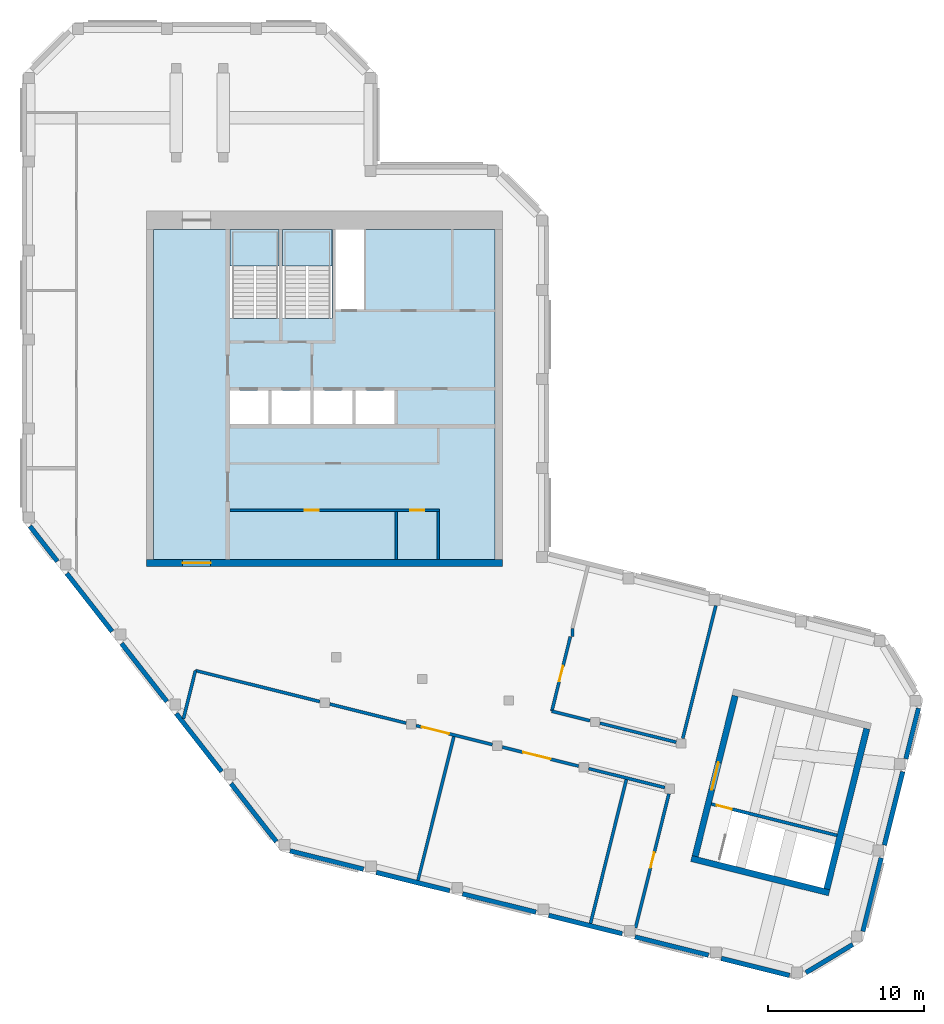
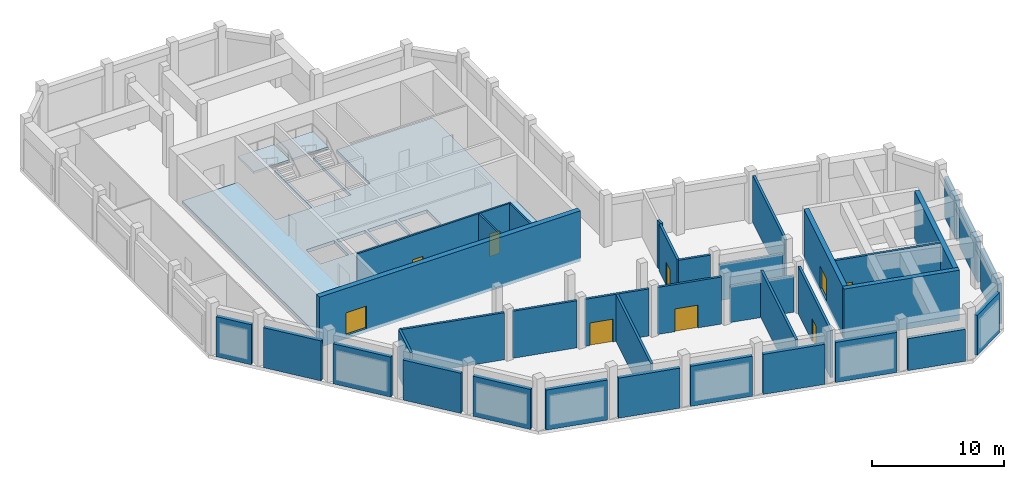
# One storey, part 2 of 5: 37 walls, 9 doors, 3 slabs, 9 openings, 2 elements without a shape of their own.
"""IFC4 building model written with IfcOpenShell, lengths in metres."""

from ifc_helpers import new_model, si_unit, direction, frame, frame_2d, origin, place, context, subcontext, project, spatial, polyline, rectangle, outline, extrude, material, layer, layer_set, type_object, element, fill, aggregate, save


model = new_model("IFC4")

# Units and contexts
model_context = context("Model", 3, precision=1e-05, world=origin(), true_north=direction((0.0, 1.0)))
body_context = subcontext(model_context, "Body", "Model", "MODEL_VIEW")
ifc_project = project(units=[si_unit("LENGTHUNIT", "METRE"), si_unit("AREAUNIT", "SQUARE_METRE"), si_unit("VOLUMEUNIT", "CUBIC_METRE"), si_unit("PLANEANGLEUNIT", "RADIAN"), si_unit("MASSUNIT", "GRAM", prefix="KILO")], contexts=[model_context])

# Site, building, storey
site_placement = place(None, origin())
site = spatial("IfcSite", under=ifc_project, at=site_placement, CompositionType="ELEMENT")
building_placement = place(site_placement, origin())
building = spatial("IfcBuilding", under=site, at=building_placement, Name="Meshkara Civic Tower", CompositionType="ELEMENT")
storey_placement = place(building_placement, frame((0.0, 0.0, 405.0)))
storey = spatial("IfcBuildingStorey", under=building, at=storey_placement, Name="L93 Crown", CompositionType="ELEMENT", Elevation=405.0)

# Slab
ifc_material_1 = material(Name="Concrete C40/50", Category="concrete")
ifc_layer_1 = layer(ifc_material_1, 0.300048828125)
ifc_layer_set_1 = layer_set([ifc_layer_1], Name="Core floor slab 300 C40/50")
slab_type_1 = type_object("IfcSlabType", Name="Core floor slab 300 C40/50", PredefinedType="FLOOR", material=ifc_layer_set_1)
slab_1_placement = place(storey_placement, frame((0.0, 0.0, -0.300048828125)))
element("IfcSlab", 1, at=slab_1_placement, inside=storey, type_object=slab_type_1, Name="Core floor K", PredefinedType="FLOOR", context=body_context, shape_type="SweptSolid", body=[
    extrude(outline(polyline([(8.449951171875, 35.699951171875), (13.35009765625, 35.699951171875), (13.35009765625, 30.00146484375), (16.5, 30.00146484375), (16.5, 35.699951171875), (16.699951171875, 35.699951171875), (16.699951171875, 30.00146484375), (19.89990234375, 30.00146484375), (19.89990234375, 35.699951171875), (20.10009765625, 35.699951171875), (20.10009765625, 30.574951171875), (21.925048828125, 30.574951171875), (21.925048828125, 35.699951171875), (30.35009765625, 35.699951171875), (30.35009765625, 14.550048828125), (8.449951171875, 14.550048828125), (8.449951171875, 35.699951171875)]), holes=[polyline([(15.800048828125, 23.25), (15.800048828125, 25.39990234375), (13.35009765625, 25.39990234375), (13.35009765625, 23.25), (15.800048828125, 23.25)]), polyline([(18.5, 25.39990234375), (16.0, 25.39990234375), (16.0, 23.25), (18.5, 23.25), (18.5, 25.39990234375)]), polyline([(18.699951171875, 23.25), (21.199951171875, 23.25), (21.199951171875, 25.39990234375), (18.699951171875, 25.39990234375), (18.699951171875, 23.25)]), polyline([(21.39990234375, 23.25), (23.89990234375, 23.25), (23.89990234375, 25.39990234375), (21.39990234375, 25.39990234375), (21.39990234375, 23.25)])]), origin(), (0.0, 0.0, 1.0), 0.300048828125),
])

# Stair, slab
ifc_material_2 = material(Name="Precast concrete C40/50", Category="concrete")
stair_type = type_object("IfcStairType", Name="Exit stair half-turn 26 risers precast", PredefinedType="HALF_TURN_STAIR", material=ifc_material_2)
stair_1_placement = place(storey_placement, origin())
stair_1 = element("IfcStair", 2, at=stair_1_placement, inside=storey, type_object=stair_type, Name="L93 Crown exit stair 1", PredefinedType="HALF_TURN_STAIR")
ifc_material_3 = material(Name="Precast concrete C40/50", Category="concrete")
ifc_layer_2 = layer(ifc_material_3, 0.199951171875)
ifc_layer_set_2 = layer_set([ifc_layer_2], Name="Exit stair landing 200")
slab_type_2 = type_object("IfcSlabType", Name="Exit stair landing 200", PredefinedType="LANDING", material=ifc_layer_set_2)
slab_2_placement = place(storey_placement, frame((0.0, 0.0, 2.199951171875)))
slab_2 = element("IfcSlab", 3, at=slab_2_placement, type_object=slab_type_2, Name="ST1 landing 1", PredefinedType="LANDING", context=body_context, shape_type="SweptSolid", body=[
    extrude(outline(polyline([(16.5, 33.3583984375), (16.5, 35.699951171875), (13.35009765625, 35.699951171875), (13.35009765625, 33.3583984375), (16.5, 33.3583984375)])), origin(), (0.0, 0.0, 1.0), 0.199951171875),
])
aggregate(stair_1, [slab_2])

stair_2_placement = place(storey_placement, origin())
stair_2 = element("IfcStair", 4, at=stair_2_placement, inside=storey, type_object=stair_type, Name="L93 Crown exit stair 2", PredefinedType="HALF_TURN_STAIR")
slab_3_placement = place(storey_placement, frame((0.0, 0.0, 2.199951171875)))
slab_3 = element("IfcSlab", 5, at=slab_3_placement, type_object=slab_type_2, Name="ST2 landing 1", PredefinedType="LANDING", context=body_context, shape_type="SweptSolid", body=[
    extrude(outline(polyline([(19.89990234375, 33.3583984375), (19.89990234375, 35.699951171875), (16.699951171875, 35.699951171875), (16.699951171875, 33.3583984375), (19.89990234375, 33.3583984375)])), origin(), (0.0, 0.0, 1.0), 0.199951171875),
])
aggregate(stair_2, [slab_3])

# Walls
ifc_material_4 = material(Name="Insulated infill panel with bronze anodised aluminium cladding", Category="aluminium")
ifc_layer_3 = layer(ifc_material_4, 0.300048828125)
ifc_layer_set_3 = layer_set([ifc_layer_3], Name="CROWN WALL 300")
wall_type_1 = type_object("IfcWallType", Name="CROWN WALL 300", PredefinedType="SOLIDWALL", material=ifc_layer_set_3)
wall_1_placement = place(storey_placement, frame((0.51611328125, 16.68310546875, 0.0), z_axis=(0.0, 0.0, 1.0), x_axis=(0.615483207854, -0.788149998953, 0.0)))
element("IfcWall", 6, at=wall_1_placement, inside=storey, type_object=wall_type_1, Name="Crown external wall", PredefinedType="SOLIDWALL", context=body_context, shape_type="SweptSolid", body=[
    extrude(rectangle(XDim=2.857666015625, YDim=0.300048828125, at=frame_2d((1.4287109375, 0.0))), origin(), (0.0, 0.0, 1.0), 3.699951171875),
])
wall_2_placement = place(storey_placement, frame((2.8798828125, 13.656982421875, 0.0), z_axis=(0.0, 0.0, 1.0), x_axis=(0.61578764214, -0.787912165021, 0.0)))
element("IfcWall", 7, at=wall_2_placement, inside=storey, type_object=wall_type_1, Name="Crown external wall", PredefinedType="SOLIDWALL", context=body_context, shape_type="SweptSolid", body=[
    extrude(rectangle(XDim=4.717529296875, YDim=0.300048828125, at=frame_2d((2.35888671875, 0.0))), origin(), (0.0, 0.0, 1.0), 3.699951171875),
])
wall_3_placement = place(storey_placement, frame((6.388916015625, 9.1650390625, 0.0), z_axis=(0.0, 0.0, 1.0), x_axis=(0.61568721755, -0.7879906409, 0.0)))
element("IfcWall", 8, at=wall_3_placement, inside=storey, type_object=wall_type_1, Name="Crown external wall", PredefinedType="SOLIDWALL", context=body_context, shape_type="SweptSolid", body=[
    extrude(rectangle(XDim=4.71826171875, YDim=0.300048828125, at=frame_2d((2.359130859375, 0.0))), origin(), (0.0, 0.0, 1.0), 3.699951171875),
])
wall_4_placement = place(storey_placement, frame((9.89892578125, 4.673095703125, 0.0), z_axis=(0.0, 0.0, 1.0), x_axis=(0.615659107807, -0.788012603309, 0.0)))
element("IfcWall", 9, at=wall_4_placement, inside=storey, type_object=wall_type_1, Name="Crown external wall", PredefinedType="SOLIDWALL", context=body_context, shape_type="SweptSolid", body=[
    extrude(rectangle(XDim=4.717041015625, YDim=0.300048828125, at=frame_2d((2.3583984375, 0.0))), origin(), (0.0, 0.0, 1.0), 3.699951171875),
])
wall_5_placement = place(storey_placement, frame((13.407958984375, 0.181884765625, 0.0), z_axis=(0.0, 0.0, 1.0), x_axis=(0.61568421867, -0.78799298403, 0.0)))
element("IfcWall", 10, at=wall_5_placement, inside=storey, type_object=wall_type_1, Name="Crown external wall", PredefinedType="SOLIDWALL", context=body_context, shape_type="SweptSolid", body=[
    extrude(rectangle(XDim=4.716796875, YDim=0.300048828125, at=frame_2d((2.3583984375, 0.0))), origin(), (0.0, 0.0, 1.0), 3.699951171875),
])
wall_6_placement = place(storey_placement, frame((17.18994140625, -4.132080078125, 0.0), z_axis=(0.0, 0.0, 1.0), x_axis=(0.970343440388, -0.241730444287, 0.0)))
element("IfcWall", 11, at=wall_6_placement, inside=storey, type_object=wall_type_1, Name="Crown external wall", PredefinedType="SOLIDWALL", context=body_context, shape_type="SweptSolid", body=[
    extrude(rectangle(XDim=4.851806640625, YDim=0.300048828125, at=frame_2d((2.42578125, 0.0))), origin(), (0.0, 0.0, 1.0), 3.699951171875),
])
wall_7_placement = place(storey_placement, frame((22.720947265625, -5.510986328125, 0.0), z_axis=(0.0, 0.0, 1.0), x_axis=(0.970319867473, -0.241825049959, 0.0)))
element("IfcWall", 12, at=wall_7_placement, inside=storey, type_object=wall_type_1, Name="Crown external wall", PredefinedType="SOLIDWALL", context=body_context, shape_type="SweptSolid", body=[
    extrude(rectangle(XDim=4.85107421875, YDim=0.300048828125, at=frame_2d((2.425537109375, 0.0))), origin(), (0.0, 0.0, 1.0), 3.699951171875),
])
wall_8_placement = place(storey_placement, frame((28.2509765625, -6.888916015625, 0.0), z_axis=(0.0, 0.0, 1.0), x_axis=(0.970284401049, -0.241967314076, 0.0)))
element("IfcWall", 13, at=wall_8_placement, inside=storey, type_object=wall_type_1, Name="Crown external wall", PredefinedType="SOLIDWALL", context=body_context, shape_type="SweptSolid", body=[
    extrude(rectangle(XDim=4.852294921875, YDim=0.300048828125, at=frame_2d((2.42626953125, 0.0))), origin(), (0.0, 0.0, 1.0), 3.699951171875),
])
wall_9_placement = place(storey_placement, frame((33.781982421875, -8.26904296875, 0.0), z_axis=(0.0, 0.0, 1.0), x_axis=(0.970343440388, -0.241730444287, 0.0)))
element("IfcWall", 14, at=wall_9_placement, inside=storey, type_object=wall_type_1, Name="Crown external wall", PredefinedType="SOLIDWALL", context=body_context, shape_type="SweptSolid", body=[
    extrude(rectangle(XDim=4.851806640625, YDim=0.300048828125, at=frame_2d((2.42578125, 0.0))), origin(), (0.0, 0.0, 1.0), 3.699951171875),
])
wall_10_placement = place(storey_placement, frame((39.31298828125, -9.64794921875, 0.0), z_axis=(0.0, 0.0, 1.0), x_axis=(0.970319867473, -0.241825049959, 0.0)))
element("IfcWall", 15, at=wall_10_placement, inside=storey, type_object=wall_type_1, Name="Crown external wall", PredefinedType="SOLIDWALL", context=body_context, shape_type="SweptSolid", body=[
    extrude(rectangle(XDim=4.85107421875, YDim=0.300048828125, at=frame_2d((2.425537109375, 0.0))), origin(), (0.0, 0.0, 1.0), 3.699951171875),
])
wall_11_placement = place(storey_placement, frame((44.843017578125, -11.02587890625, 0.0), z_axis=(0.0, 0.0, 1.0), x_axis=(0.970256998142, -0.242077172729, 0.0)))
element("IfcWall", 16, at=wall_11_placement, inside=storey, type_object=wall_type_1, Name="Crown external wall", PredefinedType="SOLIDWALL", context=body_context, shape_type="SweptSolid", body=[
    extrude(rectangle(XDim=4.51123046875, YDim=0.300048828125, at=frame_2d((2.255615234375, 0.0))), origin(), (0.0, 0.0, 1.0), 2.949951171875),
])
wall_12_placement = place(storey_placement, frame((50.27001953125, -11.93896484375, 0.0), z_axis=(0.0, 0.0, 1.0), x_axis=(0.857216082003, 0.514956880481, 0.0)))
element("IfcWall", 17, at=wall_12_placement, inside=storey, type_object=wall_type_1, Name="Crown external wall", PredefinedType="SOLIDWALL", context=body_context, shape_type="SweptSolid", body=[
    extrude(rectangle(XDim=3.503173828125, YDim=0.300048828125, at=frame_2d((1.75146484375, 0.0))), origin(), (0.0, 0.0, 1.0), 3.699951171875),
])
wall_13_placement = place(storey_placement, frame((53.924072265625, -9.291015625, 0.0), z_axis=(0.0, 0.0, 1.0), x_axis=(0.241919943578, 0.970296212968, 0.0)))
element("IfcWall", 18, at=wall_13_placement, inside=storey, type_object=wall_type_1, Name="Crown external wall", PredefinedType="SOLIDWALL", context=body_context, shape_type="SweptSolid", body=[
    extrude(rectangle(XDim=4.85205078125, YDim=0.300048828125, at=frame_2d((2.426025390625, 0.0))), origin(), (0.0, 0.0, 1.0), 3.699951171875),
])
wall_14_placement = place(storey_placement, frame((55.302978515625, -3.760009765625, 0.0), z_axis=(0.0, 0.0, 1.0), x_axis=(0.242014574744, 0.970272614069, 0.0)))
element("IfcWall", 19, at=wall_14_placement, inside=storey, type_object=wall_type_1, Name="Crown external wall", PredefinedType="SOLIDWALL", context=body_context, shape_type="SweptSolid", body=[
    extrude(rectangle(XDim=4.851318359375, YDim=0.300048828125, at=frame_2d((2.42578125, 0.0))), origin(), (0.0, 0.0, 1.0), 3.699951171875),
])
wall_15_placement = place(storey_placement, frame((56.681884765625, 1.77001953125, 0.0), z_axis=(0.0, 0.0, 1.0), x_axis=(0.242002297387, 0.970275676321, 0.0)))
element("IfcWall", 20, at=wall_15_placement, inside=storey, type_object=wall_type_1, Name="Crown external wall", PredefinedType="SOLIDWALL", context=body_context, shape_type="SweptSolid", body=[
    extrude(rectangle(XDim=3.33935546875, YDim=0.300048828125, at=frame_2d((1.669677734375, 0.0))), origin(), (0.0, 0.0, 1.0), 3.699951171875),
])

# Wall, openings, doors
ifc_material_5 = material(Name="Blockwork", Category="masonry")
ifc_layer_4 = layer(ifc_material_5, 0.14990234375)
ifc_layer_set_4 = layer_set([ifc_layer_4], Name="Core partition 150")
wall_type_2 = type_object("IfcWallType", Name="Core partition 150", PredefinedType="PARTITIONING", material=ifc_layer_set_4)
wall_16_placement = place(storey_placement, frame((13.35009765625, 17.699951171875, 0.0), z_axis=(0.0, 0.0, 1.0), x_axis=(1.0, 0.0, 0.0)))
wall_16 = element("IfcWall", 21, at=wall_16_placement, inside=storey, type_object=wall_type_2, Name="L93 Crown-C005", PredefinedType="PARTITIONING", context=body_context, shape_type="SweptSolid", body=[
    extrude(rectangle(XDim=13.4248046875, YDim=0.14990234375, at=frame_2d((6.71240234375, 0.0))), origin(), (0.0, 0.0, 1.0), 4.35009765625),
])
opening_1_placement = place(wall_16_placement, frame((4.800048828125, 0.0, 0.0)))
opening_1 = element("IfcOpeningElement", 22, at=opening_1_placement, cuts=wall_16, Name="Opening L93 Crown-K005", PredefinedType="OPENING", context=body_context, shape_type="SweptSolid", body=[
    extrude(rectangle(XDim=0.89990234375, YDim=2.10009765625, at=frame_2d((0.449951171875, 1.050048828125))), frame((0.0, 0.0849609375, 0.0), z_axis=(0.0, -1.0, 0.0), x_axis=(1.0, 0.0, 0.0)), (0.0, 0.0, 1.0), 0.169921875),
])
opening_2_placement = place(wall_16_placement, frame((11.550048828125, 0.0, 0.0)))
opening_2 = element("IfcOpeningElement", 23, at=opening_2_placement, cuts=wall_16, Name="Opening L93 Crown-K006", PredefinedType="OPENING", context=body_context, shape_type="SweptSolid", body=[
    extrude(rectangle(XDim=0.89990234375, YDim=2.10009765625, at=frame_2d((0.449951171875, 1.050048828125))), frame((0.0, 0.0849609375, 0.0), z_axis=(0.0, -1.0, 0.0), x_axis=(1.0, 0.0, 0.0)), (0.0, 0.0, 1.0), 0.169921875),
])
ifc_material_6 = material(Name="Timber door leaf in steel frame", Category="steel")
door_type_1 = type_object("IfcDoorType", Name="Core room door 900", OperationType="SINGLE_SWING_LEFT", PredefinedType="DOOR", material=ifc_material_6)
door_1_placement = place(opening_1_placement, origin())
door_1 = element("IfcDoor", 24, at=door_1_placement, inside=storey, type_object=door_type_1, Name="L93 Crown-K005", OperationType="SINGLE_SWING_LEFT", OverallHeight=2.10009765625, OverallWidth=0.89990234375, PredefinedType="DOOR", context=body_context, shape_type="SweptSolid", body=[
    extrude(rectangle(XDim=0.89990234375, YDim=2.10009765625, at=frame_2d((0.449951171875, 1.050048828125))), frame((0.0, 0.02490234375, 0.0), z_axis=(0.0, -1.0, 0.0), x_axis=(1.0, 0.0, 0.0)), (0.0, 0.0, 1.0), 0.050048828125),
])
fill(opening_1, door_1)
door_2_placement = place(opening_2_placement, origin())
door_2 = element("IfcDoor", 25, at=door_2_placement, inside=storey, type_object=door_type_1, Name="L93 Crown-K006", OperationType="SINGLE_SWING_LEFT", OverallHeight=2.10009765625, OverallWidth=0.89990234375, PredefinedType="DOOR", context=body_context, shape_type="SweptSolid", body=[
    extrude(rectangle(XDim=0.89990234375, YDim=2.10009765625, at=frame_2d((0.449951171875, 1.050048828125))), frame((0.0, 0.02490234375, 0.0), z_axis=(0.0, -1.0, 0.0), x_axis=(1.0, 0.0, 0.0)), (0.0, 0.0, 1.0), 0.050048828125),
])
fill(opening_2, door_2)

# Walls
for number, where, z_axis, x_axis, name in (
    (26, (24.0, 14.550048828125, 0.0), (0.0, 0.0, 1.0), (0.0, 1.0, 0.0), "L93 Crown-C018"),
    (27, (26.699951171875, 14.550048828125, 0.0), (0.0, 0.0, 1.0), (0.0, 1.0, 0.0), "L93 Crown-C020"),
):
    element("IfcWall", number, at=place(storey_placement, frame(where, z_axis=z_axis, x_axis=x_axis)), inside=storey, type_object=wall_type_2, Name=name, PredefinedType="PARTITIONING", context=body_context, shape_type="SweptSolid", body=[
        extrude(rectangle(XDim=3.074951171875, YDim=0.14990234375, at=frame_2d((1.53759765625, 0.0))), origin(), (0.0, 0.0, 1.0), 4.35009765625),
    ])

# Wall, opening, door
ifc_material_7 = material(Name="Concrete C50", Category="concrete")
ifc_layer_5 = layer(ifc_material_7, 0.449951171875)
ifc_layer_set_5 = layer_set([ifc_layer_5], Name="Core ring wall 450 C50")
wall_type_3 = type_object("IfcWallType", Name="Core ring wall 450 C50", PredefinedType="SHEAR", material=ifc_layer_set_5)
wall_17_placement = place(storey_placement, frame((8.0, 14.324951171875, -0.300048828125), z_axis=(0.0, 0.0, 1.0), x_axis=(1.0, 0.0, 0.0)))
wall_17 = element("IfcWall", 28, at=wall_17_placement, inside=storey, type_object=wall_type_3, Name="L93 Crown-C001", PredefinedType="SHEAR", context=body_context, shape_type="SweptSolid", body=[
    extrude(rectangle(XDim=22.800048828125, YDim=0.449951171875, at=frame_2d((11.39990234375, 0.0))), origin(), (0.0, 0.0, 1.0), 4.650146484375),
])
opening_3_placement = place(wall_17_placement, frame((2.300048828125, 0.0, 0.300048828125)))
opening_3 = element("IfcOpeningElement", 29, at=opening_3_placement, cuts=wall_17, Name="Opening L93 Crown-K018", PredefinedType="OPENING", context=body_context, shape_type="SweptSolid", body=[
    extrude(rectangle(XDim=1.800048828125, YDim=2.10009765625, at=frame_2d((0.89990234375, 1.050048828125))), frame((0.0, 0.23486328125, 0.0), z_axis=(0.0, -1.0, 0.0), x_axis=(1.0, 0.0, 0.0)), (0.0, 0.0, 1.0), 0.469970703125),
])
ifc_material_8 = material(Name="Fire-rated door leaf in steel frame", Category="steel")
door_type_2 = type_object("IfcDoorType", Name="Core double door 1800 EI 60", OperationType="DOUBLE_DOOR_SINGLE_SWING", PredefinedType="DOOR", material=ifc_material_8)
door_3_placement = place(opening_3_placement, origin())
door_3 = element("IfcDoor", 30, at=door_3_placement, inside=storey, type_object=door_type_2, Name="L93 Crown-K018", OperationType="DOUBLE_DOOR_SINGLE_SWING", OverallHeight=2.10009765625, OverallWidth=1.800048828125, PredefinedType="DOOR", context=body_context, shape_type="SweptSolid", body=[
    extrude(rectangle(XDim=1.800048828125, YDim=2.10009765625, at=frame_2d((0.89990234375, 1.050048828125))), frame((0.0, 0.02490234375, 0.0), z_axis=(0.0, -1.0, 0.0), x_axis=(1.0, 0.0, 0.0)), (0.0, 0.0, 1.0), 0.050048828125),
])
fill(opening_3, door_3)

# Wall
ifc_material_9 = material(Name="Concrete C50", Category="concrete")
ifc_layer_6 = layer(ifc_material_9, 0.39990234375)
ifc_layer_set_6 = layer_set([ifc_layer_6], Name="End core ring wall 400 C50")
wall_type_4 = type_object("IfcWallType", Name="End core ring wall 400 C50", PredefinedType="SHEAR", material=ifc_layer_set_6)
wall_18_placement = place(storey_placement, frame((42.927001953125, -4.6220703125, -0.300048828125), z_axis=(0.0, 0.0, 1.0), x_axis=(0.970287509026, -0.241954850805, 0.0)))
element("IfcWall", 31, at=wall_18_placement, inside=storey, type_object=wall_type_4, Name="L93 Crown-C023", PredefinedType="SHEAR", context=body_context, shape_type="SweptSolid", body=[
    extrude(rectangle(XDim=9.1005859375, YDim=0.39990234375, at=frame_2d((4.55029296875, 0.0))), origin(), (0.0, 0.0, 1.0), 4.650146484375),
])

# Wall, opening, door
wall_19_placement = place(storey_placement, frame((43.1689453125, -4.47705078125, -0.300048828125), z_axis=(0.0, 0.0, 1.0), x_axis=(0.2419503548, 0.970288630157, 0.0)))
wall_19 = element("IfcWall", 32, at=wall_19_placement, inside=storey, type_object=wall_type_4, Name="L93 Crown-C025", PredefinedType="SHEAR", context=body_context, shape_type="SweptSolid", body=[
    extrude(rectangle(XDim=10.60107421875, YDim=0.39990234375, at=frame_2d((5.300537109375, 0.0))), origin(), (0.0, 0.0, 1.0), 4.650146484375),
])
opening_4_placement = place(wall_19_placement, frame((4.39990234375, 0.0, 0.300048828125)))
opening_4 = element("IfcOpeningElement", 33, at=opening_4_placement, cuts=wall_19, Name="Opening L93 Crown-K202", PredefinedType="OPENING", context=body_context, shape_type="SweptSolid", body=[
    extrude(rectangle(XDim=1.800048828125, YDim=2.10009765625, at=frame_2d((0.89990234375, 1.050048828125))), frame((0.0, 0.2099609375, 0.0), z_axis=(0.0, -1.0, 0.0), x_axis=(1.0, 0.0, 0.0)), (0.0, 0.0, 1.0), 0.419921875),
])
door_4_placement = place(opening_4_placement, origin())
door_4 = element("IfcDoor", 34, at=door_4_placement, inside=storey, type_object=door_type_2, Name="L93 Crown-K202", OperationType="DOUBLE_DOOR_SINGLE_SWING", OverallHeight=2.10009765625, OverallWidth=1.800048828125, PredefinedType="DOOR", context=body_context, shape_type="SweptSolid", body=[
    extrude(rectangle(XDim=1.800048828125, YDim=2.10009765625, at=frame_2d((0.89990234375, 1.050048828125))), frame((0.0, 0.02490234375, 0.0), z_axis=(0.0, -1.0, 0.0), x_axis=(1.0, 0.0, 0.0)), (0.0, 0.0, 1.0), 0.050048828125),
])
fill(opening_4, door_4)

# Walls
wall_20_placement = place(storey_placement, frame((51.611083984375, -6.5810546875, -0.300048828125), z_axis=(0.0, 0.0, 1.0), x_axis=(0.241885246693, 0.97030486314, 0.0)))
element("IfcWall", 35, at=wall_20_placement, inside=storey, type_object=wall_type_4, Name="L93 Crown-C026", PredefinedType="SHEAR", context=body_context, shape_type="SweptSolid", body=[
    extrude(rectangle(XDim=10.599853515625, YDim=0.39990234375, at=frame_2d((5.2998046875, 0.0))), origin(), (0.0, 0.0, 1.0), 4.650146484375),
])
ifc_material_10 = material(Name="Fire-rated wall 200")
ifc_layer_7 = layer(ifc_material_10, 0.199951171875)
ifc_layer_set_7 = layer_set([ifc_layer_7], Name="Fire-rated wall 200")
wall_type_5 = type_object("IfcWallType", Name="Fire-rated wall 200", PredefinedType="PARTITIONING", material=ifc_layer_set_7)
wall_21_placement = place(storey_placement, frame((10.35595703125, 4.33203125, 0.0), z_axis=(0.0, 0.0, 1.0), x_axis=(0.241869632235, 0.970308755501, 0.0)))
element("IfcWall", 36, at=wall_21_placement, inside=storey, type_object=wall_type_5, Name="L93 Crown-R003", PredefinedType="PARTITIONING", context=body_context, shape_type="SweptSolid", body=[
    extrude(rectangle(XDim=3.191650390625, YDim=0.199951171875, at=frame_2d((1.595703125, 0.0))), origin(), (0.0, 0.0, 1.0), 4.35009765625),
])
wall_22_placement = place(storey_placement, frame((11.1279296875, 7.428955078125, 0.0), z_axis=(0.0, 0.0, 1.0), x_axis=(0.970285587756, -0.241962555355, 0.0)))
element("IfcWall", 37, at=wall_22_placement, inside=storey, type_object=wall_type_5, Name="L93 Crown-R004", PredefinedType="PARTITIONING", context=body_context, shape_type="SweptSolid", body=[
    extrude(rectangle(XDim=8.22021484375, YDim=0.199951171875, at=frame_2d((4.110107421875, 0.0))), origin(), (0.0, 0.0, 1.0), 4.35009765625),
])
wall_23_placement = place(storey_placement, frame((19.743896484375, 5.281005859375, 0.0), z_axis=(0.0, 0.0, 1.0), x_axis=(0.970262058426, -0.242056889963, 0.0)))
element("IfcWall", 38, at=wall_23_placement, inside=storey, type_object=wall_type_5, Name="L93 Crown-R005", PredefinedType="PARTITIONING", context=body_context, shape_type="SweptSolid", body=[
    extrude(rectangle(XDim=5.0400390625, YDim=0.199951171875, at=frame_2d((2.52001953125, 0.0))), origin(), (0.0, 0.0, 1.0), 4.35009765625),
])

# Wall, opening, door
wall_24_placement = place(storey_placement, frame((25.27392578125, 3.902099609375, 0.0), z_axis=(0.0, 0.0, 1.0), x_axis=(0.970262034576, -0.242056985565, 0.0)))
wall_24 = element("IfcWall", 39, at=wall_24_placement, inside=storey, type_object=wall_type_5, Name="L93 Crown-R006", PredefinedType="PARTITIONING", context=body_context, shape_type="SweptSolid", body=[
    extrude(rectangle(XDim=5.041015625, YDim=0.199951171875, at=frame_2d((2.5205078125, 0.0))), origin(), (0.0, 0.0, 1.0), 4.35009765625),
])
opening_5_placement = place(wall_24_placement, frame((0.3798828125, 0.0, 0.0)))
opening_5 = element("IfcOpeningElement", 40, at=opening_5_placement, cuts=wall_24, Name="Opening L93 Crown-P002", PredefinedType="OPENING", context=body_context, shape_type="SweptSolid", body=[
    extrude(rectangle(XDim=1.800048828125, YDim=2.10009765625, at=frame_2d((0.89990234375, 1.050048828125))), frame((0.0, 0.10986328125, 0.0), z_axis=(0.0, -1.0, 0.0), x_axis=(1.0, 0.0, 0.0)), (0.0, 0.0, 1.0), 0.219970703125),
])
ifc_material_11 = material(Name="Door pair 1800 x 2100")
door_type_3 = type_object("IfcDoorType", Name="Door pair 1800 x 2100", OperationType="SINGLE_SWING_LEFT", PredefinedType="DOOR", material=ifc_material_11)
door_5_placement = place(opening_5_placement, origin())
door_5 = element("IfcDoor", 41, at=door_5_placement, inside=storey, type_object=door_type_3, Name="L93 Crown-P002", OperationType="DOUBLE_DOOR_SINGLE_SWING", OverallHeight=2.10009765625, OverallWidth=1.800048828125, PredefinedType="DOOR", context=body_context, shape_type="SweptSolid", body=[
    extrude(rectangle(XDim=1.800048828125, YDim=2.10009765625, at=frame_2d((0.89990234375, 1.050048828125))), frame((0.0, 0.02490234375, 0.0), z_axis=(0.0, -1.0, 0.0), x_axis=(1.0, 0.0, 0.0)), (0.0, 0.0, 1.0), 0.050048828125),
])
fill(opening_5, door_5)

wall_25_placement = place(storey_placement, frame((30.804931640625, 2.52294921875, 0.0), z_axis=(0.0, 0.0, 1.0), x_axis=(0.970273408026, -0.242011391629, 0.0)))
wall_25 = element("IfcWall", 42, at=wall_25_placement, inside=storey, type_object=wall_type_5, Name="L93 Crown-R007", PredefinedType="PARTITIONING", context=body_context, shape_type="SweptSolid", body=[
    extrude(rectangle(XDim=5.041015625, YDim=0.199951171875, at=frame_2d((2.5205078125, 0.0))), origin(), (0.0, 0.0, 1.0), 4.35009765625),
])
opening_6_placement = place(wall_25_placement, frame((1.3798828125, 0.0, 0.0)))
opening_6 = element("IfcOpeningElement", 43, at=opening_6_placement, cuts=wall_25, Name="Opening L93 Crown-P003", PredefinedType="OPENING", context=body_context, shape_type="SweptSolid", body=[
    extrude(rectangle(XDim=1.800048828125, YDim=2.10009765625, at=frame_2d((0.89990234375, 1.050048828125))), frame((0.0, 0.10986328125, 0.0), z_axis=(0.0, -1.0, 0.0), x_axis=(1.0, 0.0, 0.0)), (0.0, 0.0, 1.0), 0.219970703125),
])
door_6_placement = place(opening_6_placement, origin())
door_6 = element("IfcDoor", 44, at=door_6_placement, inside=storey, type_object=door_type_3, Name="L93 Crown-P003", OperationType="DOUBLE_DOOR_SINGLE_SWING", OverallHeight=2.10009765625, OverallWidth=1.800048828125, PredefinedType="DOOR", context=body_context, shape_type="SweptSolid", body=[
    extrude(rectangle(XDim=1.800048828125, YDim=2.10009765625, at=frame_2d((0.89990234375, 1.050048828125))), frame((0.0, 0.02490234375, 0.0), z_axis=(0.0, -1.0, 0.0), x_axis=(1.0, 0.0, 0.0)), (0.0, 0.0, 1.0), 0.050048828125),
])
fill(opening_6, door_6)

wall_26_placement = place(storey_placement, frame((33.97607421875, 4.823974609375, 0.0), z_axis=(0.0, 0.0, 1.0), x_axis=(0.241940400058, 0.970291112409, 0.0)))
wall_26 = element("IfcWall", 45, at=wall_26_placement, inside=storey, type_object=wall_type_5, Name="L93 Crown-R008", PredefinedType="PARTITIONING", context=body_context, shape_type="SweptSolid", body=[
    extrude(rectangle(XDim=4.92236328125, YDim=0.199951171875, at=frame_2d((2.461181640625, 0.0))), origin(), (0.0, 0.0, 1.0), 4.35009765625),
])
opening_7_placement = place(wall_26_placement, frame((1.97998046875, 0.0, 0.0)))
opening_7 = element("IfcOpeningElement", 46, at=opening_7_placement, cuts=wall_26, Name="Opening L93 Crown-P004", PredefinedType="OPENING", context=body_context, shape_type="SweptSolid", body=[
    extrude(rectangle(XDim=1.0, YDim=2.10009765625, at=frame_2d((0.5, 1.050048828125))), frame((0.0, 0.10986328125, 0.0), z_axis=(0.0, -1.0, 0.0), x_axis=(1.0, 0.0, 0.0)), (0.0, 0.0, 1.0), 0.219970703125),
])
ifc_material_12 = material(Name="Door 1000 x 2100")
door_type_4 = type_object("IfcDoorType", Name="Door 1000 x 2100", OperationType="SINGLE_SWING_LEFT", PredefinedType="DOOR", material=ifc_material_12)
door_7_placement = place(opening_7_placement, origin())
door_7 = element("IfcDoor", 47, at=door_7_placement, inside=storey, type_object=door_type_4, Name="L93 Crown-P004", OperationType="SINGLE_SWING_LEFT", OverallHeight=2.10009765625, OverallWidth=1.0, PredefinedType="DOOR", context=body_context, shape_type="SweptSolid", body=[
    extrude(rectangle(XDim=1.0, YDim=2.10009765625, at=frame_2d((0.5, 1.050048828125))), frame((0.0, 0.02490234375, 0.0), z_axis=(0.0, -1.0, 0.0), x_axis=(1.0, 0.0, 0.0)), (0.0, 0.0, 1.0), 0.050048828125),
])
fill(opening_7, door_7)

# Walls
wall_27_placement = place(storey_placement, frame((35.300048828125, 9.60009765625, 0.0), z_axis=(0.0, 0.0, 1.0), x_axis=(0.0, 1.0, 0.0)))
element("IfcWall", 48, at=wall_27_placement, inside=storey, type_object=wall_type_5, Name="L93 Crown-R009", PredefinedType="PARTITIONING", context=body_context, shape_type="SweptSolid", body=[
    extrude(rectangle(XDim=0.533935546875, YDim=0.199951171875, at=frame_2d((0.26708984375, 0.0))), origin(), (0.0, 0.0, 1.0), 4.35009765625),
])
wall_28_placement = place(storey_placement, frame((36.3359375, 1.14404296875, 0.0), z_axis=(0.0, 0.0, 1.0), x_axis=(0.970307550033, -0.241874468163, 0.0)))
element("IfcWall", 49, at=wall_28_placement, inside=storey, type_object=wall_type_5, Name="L93 Crown-R011", PredefinedType="PARTITIONING", context=body_context, shape_type="SweptSolid", body=[
    extrude(rectangle(XDim=5.039794921875, YDim=0.199951171875, at=frame_2d((2.52001953125, 0.0))), origin(), (0.0, 0.0, 1.0), 3.35009765625),
])
wall_29_placement = place(storey_placement, frame((36.422119140625, 4.214111328125, 0.0), z_axis=(0.0, 0.0, 1.0), x_axis=(-0.97029611866, 0.24192032183, 0.0)))
element("IfcWall", 50, at=wall_29_placement, inside=storey, type_object=wall_type_5, Name="L93 Crown-R012", PredefinedType="PARTITIONING", context=body_context, shape_type="SweptSolid", body=[
    extrude(rectangle(XDim=2.52099609375, YDim=0.199951171875, at=frame_2d((1.260498046875, 0.0))), origin(), (0.0, 0.0, 1.0), 4.35009765625),
])

# Wall, opening, door
wall_30_placement = place(storey_placement, frame((41.487060546875, -0.47607421875, 0.0), z_axis=(0.0, 0.0, 1.0), x_axis=(-0.241932473616, -0.970293088819, 0.0)))
wall_30 = element("IfcWall", 51, at=wall_30_placement, inside=storey, type_object=wall_type_5, Name="L93 Crown-R013", PredefinedType="PARTITIONING", context=body_context, shape_type="SweptSolid", body=[
    extrude(rectangle(XDim=8.858154296875, YDim=0.199951171875, at=frame_2d((4.42919921875, 0.0))), origin(), (0.0, 0.0, 1.0), 4.35009765625),
])
opening_8_placement = place(wall_30_placement, frame((3.8798828125, 0.0, 0.0)))
opening_8 = element("IfcOpeningElement", 52, at=opening_8_placement, cuts=wall_30, Name="Opening L93 Crown-P001", PredefinedType="OPENING", context=body_context, shape_type="SweptSolid", body=[
    extrude(rectangle(XDim=1.0, YDim=2.10009765625, at=frame_2d((0.5, 1.050048828125))), frame((0.0, 0.10986328125, 0.0), z_axis=(0.0, -1.0, 0.0), x_axis=(1.0, 0.0, 0.0)), (0.0, 0.0, 1.0), 0.219970703125),
])
door_8_placement = place(opening_8_placement, origin())
door_8 = element("IfcDoor", 53, at=door_8_placement, inside=storey, type_object=door_type_4, Name="L93 Crown-P001", OperationType="SINGLE_SWING_RIGHT", OverallHeight=2.10009765625, OverallWidth=1.0, PredefinedType="DOOR", context=body_context, shape_type="SweptSolid", body=[
    extrude(rectangle(XDim=1.0, YDim=2.10009765625, at=frame_2d((0.5, 1.050048828125))), frame((0.0, 0.02490234375, 0.0), z_axis=(0.0, -1.0, 0.0), x_axis=(1.0, 0.0, 0.0)), (0.0, 0.0, 1.0), 0.050048828125),
])
fill(opening_8, door_8)

# Walls
wall_31_placement = place(storey_placement, frame((41.951904296875, 2.8359375, 0.0), z_axis=(0.0, 0.0, 1.0), x_axis=(-0.970304715776, 0.241885837829, 0.0)))
element("IfcWall", 54, at=wall_31_placement, inside=storey, type_object=wall_type_5, Name="L93 Crown-R014", PredefinedType="PARTITIONING", context=body_context, shape_type="SweptSolid", body=[
    extrude(rectangle(XDim=5.03955078125, YDim=0.199951171875, at=frame_2d((2.519775390625, 0.0))), origin(), (0.0, 0.0, 1.0), 3.35009765625),
])
wall_32_placement = place(storey_placement, frame((44.49609375, 11.591064453125, 0.0), z_axis=(0.0, 0.0, 1.0), x_axis=(-0.241998903406, -0.970276522828, 0.0)))
element("IfcWall", 55, at=wall_32_placement, inside=storey, type_object=wall_type_5, Name="L93 Crown-R015", PredefinedType="PARTITIONING", context=body_context, shape_type="SweptSolid", body=[
    extrude(rectangle(XDim=8.777099609375, YDim=0.199951171875, at=frame_2d((4.388671875, 0.0))), origin(), (0.0, 0.0, 1.0), 4.35009765625),
])
for number, where, z_axis, x_axis, name in (
    (56, (25.39697265625, -6.02294921875, 0.0), (0.0, 0.0, 1.0), (0.242000222655, 0.97027619379, 0.0), "L93 Crown-R018"),
    (57, (36.458984375, -8.781005859375, 0.0), (0.0, 0.0, 1.0), (0.241897946423, 0.970301697162, 0.0), "L93 Crown-R019"),
):
    element("IfcWall", number, at=place(storey_placement, frame(where, z_axis=z_axis, x_axis=x_axis)), inside=storey, type_object=wall_type_5, Name=name, PredefinedType="PARTITIONING", context=body_context, shape_type="SweptSolid", body=[
        extrude(rectangle(XDim=9.5498046875, YDim=0.199951171875, at=frame_2d((4.77490234375, 0.0))), origin(), (0.0, 0.0, 1.0), 4.35009765625),
    ])

# Wall, opening, door
ifc_material_13 = material(Name="Concrete C40/50", Category="concrete")
ifc_layer_8 = layer(ifc_material_13, 0.199951171875)
ifc_layer_set_8 = layer_set([ifc_layer_8], Name="Stair enclosure wall 200 C40/50")
wall_type_6 = type_object("IfcWallType", Name="Stair enclosure wall 200 C40/50", PredefinedType="SOLIDWALL", material=ifc_layer_set_8)
wall_33_placement = place(storey_placement, frame((44.2099609375, -1.12890625, 0.0), z_axis=(0.0, 0.0, 1.0), x_axis=(0.970296288869, -0.241919639151, 0.0)))
wall_33 = element("IfcWall", 58, at=wall_33_placement, inside=storey, type_object=wall_type_6, Name="L93 Crown-C027", PredefinedType="SOLIDWALL", context=body_context, shape_type="SweptSolid", body=[
    extrude(rectangle(XDim=8.300537109375, YDim=0.199951171875, at=frame_2d((4.150390625, 0.0))), origin(), (0.0, 0.0, 1.0), 4.35009765625),
])
opening_9_placement = place(wall_33_placement, frame((0.35009765625, 0.0, 0.0)))
opening_9 = element("IfcOpeningElement", 59, at=opening_9_placement, cuts=wall_33, Name="Opening L93 Crown-K201", PredefinedType="OPENING", context=body_context, shape_type="SweptSolid", body=[
    extrude(rectangle(XDim=1.0, YDim=2.10009765625, at=frame_2d((0.5, 1.050048828125))), frame((0.0, 0.10986328125, 0.0), z_axis=(0.0, -1.0, 0.0), x_axis=(1.0, 0.0, 0.0)), (0.0, 0.0, 1.0), 0.219970703125),
])
ifc_material_14 = material(Name="Fire-rated door leaf in steel frame", Category="steel")
door_type_5 = type_object("IfcDoorType", Name="Stair door 1000 EI 120", OperationType="SINGLE_SWING_LEFT", PredefinedType="DOOR", material=ifc_material_14)
door_9_placement = place(opening_9_placement, origin())
door_9 = element("IfcDoor", 60, at=door_9_placement, inside=storey, type_object=door_type_5, Name="L93 Crown-K201", OperationType="SINGLE_SWING_LEFT", OverallHeight=2.10009765625, OverallWidth=1.0, PredefinedType="DOOR", context=body_context, shape_type="SweptSolid", body=[
    extrude(rectangle(XDim=1.0, YDim=2.10009765625, at=frame_2d((0.5, 1.050048828125))), frame((0.0, 0.02490234375, 0.0), z_axis=(0.0, -1.0, 0.0), x_axis=(1.0, 0.0, 0.0)), (0.0, 0.0, 1.0), 0.050048828125),
])
fill(opening_9, door_9)

save(model, "model.ifc")
